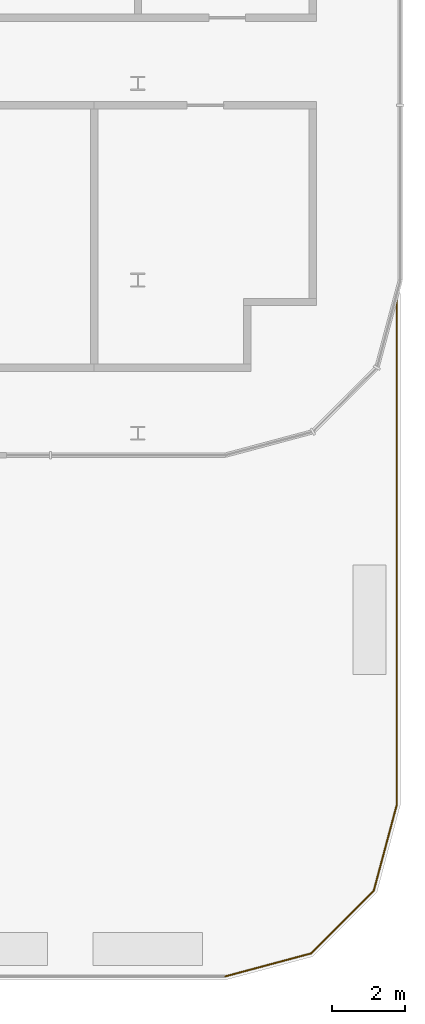
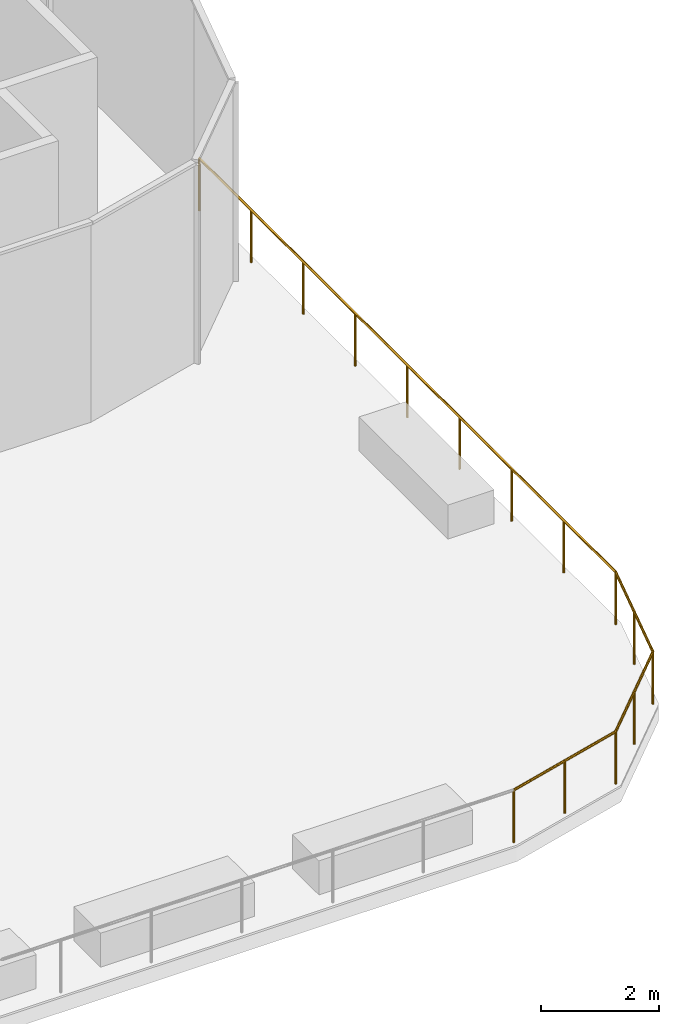
# One storey, part 40 of 43: 1 railing.
"""IFC4 building model written with IfcOpenShell, lengths in metres."""

from ifc_helpers import new_model, si_unit, direction, frame, origin, origin_2d, place, context, subcontext, project, spatial, circle, extrude, material, type_object, element, save


model = new_model("IFC4")

# Units and contexts
model_context = context("Model", 3, precision=1e-05, world=origin(), true_north=direction((0.0, 1.0)))
body_context = subcontext(model_context, "Body", "Model", "MODEL_VIEW")
ifc_project = project(units=[si_unit("LENGTHUNIT", "METRE"), si_unit("AREAUNIT", "SQUARE_METRE"), si_unit("VOLUMEUNIT", "CUBIC_METRE"), si_unit("PLANEANGLEUNIT", "RADIAN"), si_unit("MASSUNIT", "GRAM", prefix="KILO")], contexts=[model_context])

# Site, building, storey
site_placement = place(None, origin())
site = spatial("IfcSite", under=ifc_project, at=site_placement, CompositionType="ELEMENT")
building_placement = place(site_placement, origin())
building = spatial("IfcBuilding", under=site, at=building_placement, Name="Madar Terraces", CompositionType="ELEMENT")
storey_placement = place(building_placement, frame((0.0, 0.0, 10.5)))
storey = spatial("IfcBuildingStorey", under=building, at=storey_placement, Name="L02", CompositionType="ELEMENT", Elevation=10.5)

# Railing
ifc_material = material(Name="Glass, safety glazing, with stainless steel posts", Category="steel")
railing_type = type_object("IfcRailingType", Name="Balcony glass guard 1100", PredefinedType="GUARDRAIL", material=ifc_material)
railing_placement = place(storey_placement, frame((64.800048828125, -38.300048828125, 0.0400390625)))
element("IfcRailing", 1, at=railing_placement, inside=storey, type_object=railing_type, Name="Terrace guard", PredefinedType="GUARDRAIL", context=body_context, shape_type="SweptSolid", body=[
    extrude(circle(Radius=0.02392578125, at=origin_2d()), frame((0.0, 0.0, 1.076171875), z_axis=(0.965926101694, 0.258818017275, 0.0), x_axis=(-0.258818017275, 0.965926101694, 0.0)), (0.0, 0.0, 1.0), 2.432861328125),
    extrude(circle(Radius=0.02392578125, at=origin_2d()), frame((2.349853515625, 0.629638671875, 1.076171875), z_axis=(0.707106781187, 0.707106781187, 0.0), x_axis=(-0.707106781187, 0.707106781187, 0.0)), (0.0, 0.0, 1.0), 2.43310546875),
    extrude(circle(Radius=0.02392578125, at=origin_2d()), frame((4.0703125, 2.35009765625, 1.076171875), z_axis=(0.258818017275, 0.965926101694, 0.0), x_axis=(-0.965926101694, 0.258818017275, 0.0)), (0.0, 0.0, 1.0), 2.432861328125),
    extrude(circle(Radius=0.02392578125, at=origin_2d()), frame((4.699951171875, 4.699951171875, 1.076171875), z_axis=(0.0, 1.0, 0.0), x_axis=(-1.0, 0.0, 0.0)), (0.0, 0.0, 1.0), 14.0693359375),
    extrude(circle(Radius=0.02099609375, at=origin_2d()), origin(), (0.0, 0.0, 1.0), 1.052001953125),
    extrude(circle(Radius=0.02099609375, at=origin_2d()), frame((1.1748046875, 0.31494140625, 0.0)), (0.0, 0.0, 1.0), 1.052001953125),
    extrude(circle(Radius=0.02099609375, at=origin_2d()), frame((2.349853515625, 0.629638671875, 0.0)), (0.0, 0.0, 1.0), 1.052001953125),
    extrude(circle(Radius=0.02099609375, at=origin_2d()), frame((3.2099609375, 1.48974609375, 0.0)), (0.0, 0.0, 1.0), 1.052001953125),
    extrude(circle(Radius=0.02099609375, at=origin_2d()), frame((4.0703125, 2.35009765625, 0.0)), (0.0, 0.0, 1.0), 1.052001953125),
    extrude(circle(Radius=0.02099609375, at=origin_2d()), frame((4.38525390625, 3.52490234375, 0.0)), (0.0, 0.0, 1.0), 1.052001953125),
    extrude(circle(Radius=0.02099609375, at=origin_2d()), frame((4.699951171875, 4.699951171875, 0.0)), (0.0, 0.0, 1.0), 1.052001953125),
    extrude(circle(Radius=0.02099609375, at=origin_2d()), frame((4.699951171875, 6.45849609375, 0.0)), (0.0, 0.0, 1.0), 1.052001953125),
    extrude(circle(Radius=0.02099609375, at=origin_2d()), frame((4.699951171875, 8.21728515625, 0.0)), (0.0, 0.0, 1.0), 1.052001953125),
    extrude(circle(Radius=0.02099609375, at=origin_2d()), frame((4.699951171875, 9.97607421875, 0.0)), (0.0, 0.0, 1.0), 1.052001953125),
    extrude(circle(Radius=0.02099609375, at=origin_2d()), frame((4.699951171875, 11.734619140625, 0.0)), (0.0, 0.0, 1.0), 1.052001953125),
    extrude(circle(Radius=0.02099609375, at=origin_2d()), frame((4.699951171875, 13.4931640625, 0.0)), (0.0, 0.0, 1.0), 1.052001953125),
    extrude(circle(Radius=0.02099609375, at=origin_2d()), frame((4.699951171875, 15.251953125, 0.0)), (0.0, 0.0, 1.0), 1.052001953125),
    extrude(circle(Radius=0.02099609375, at=origin_2d()), frame((4.699951171875, 17.0107421875, 0.0)), (0.0, 0.0, 1.0), 1.052001953125),
    extrude(circle(Radius=0.02099609375, at=origin_2d()), frame((4.699951171875, 18.769287109375, 0.0)), (0.0, 0.0, 1.0), 1.052001953125),
])

save(model, "model.ifc")
